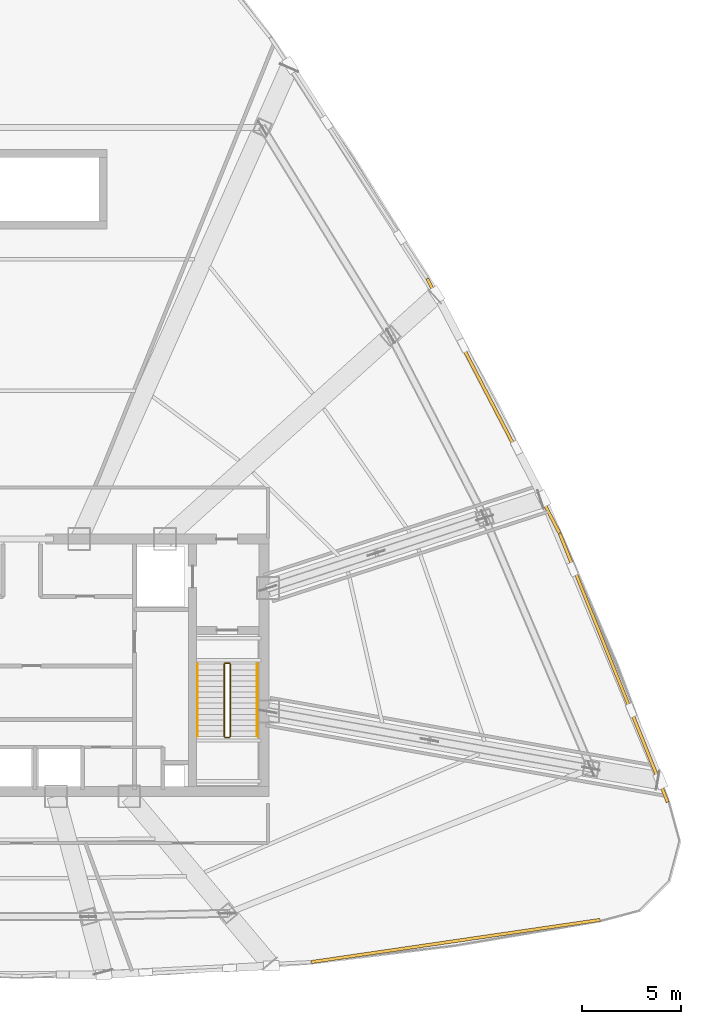
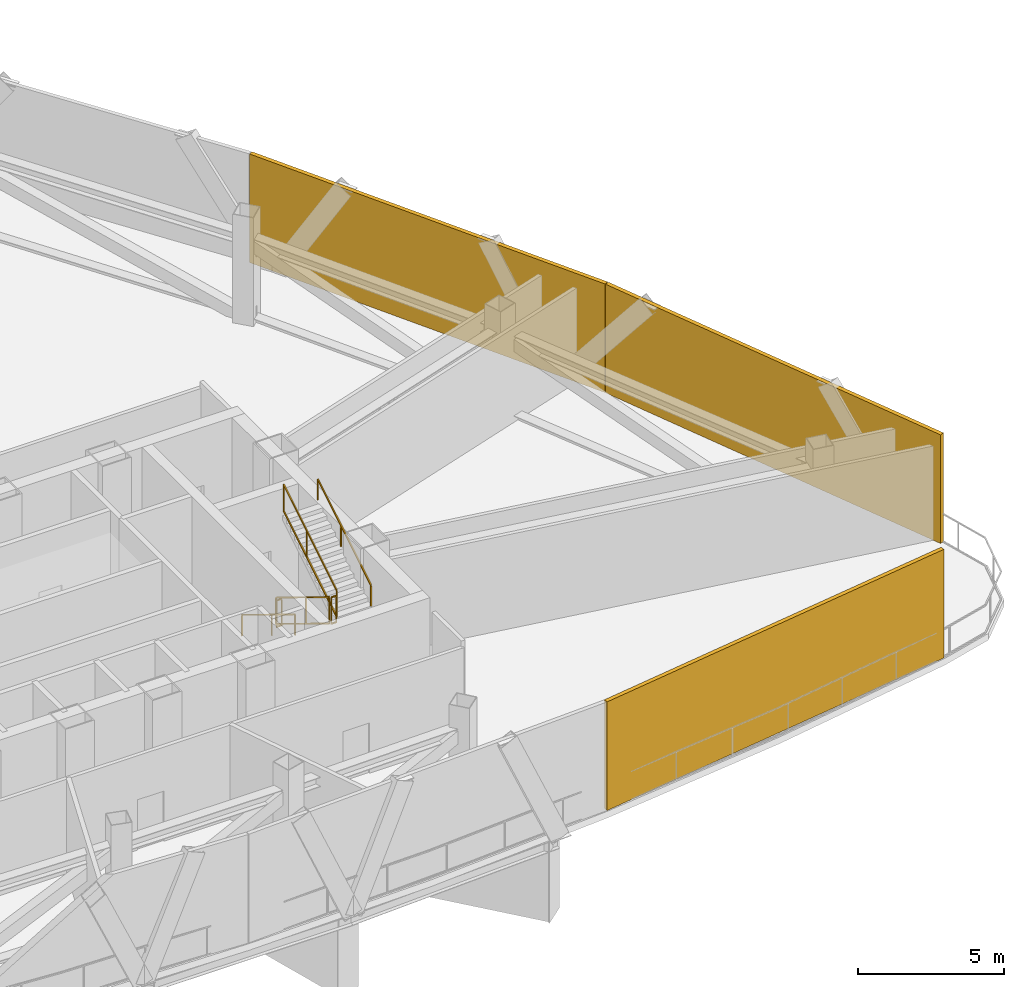
# One storey, part 12 of 13: 6 railings, 3 shading devices.
"""IFC4 building model written with IfcOpenShell, lengths in metres."""

from ifc_helpers import new_model, si_unit, direction, frame, origin, origin_2d, place, context, subcontext, project, spatial, rectangle, extrude, source, transform, mapped, material, layer, layer_set, type_object, element, save


model = new_model("IFC4")

# Units and contexts
model_context = context("Model", 3, precision=1e-05, world=origin(), true_north=direction((0.0, 1.0)))
body_context = subcontext(model_context, "Body", "Model", "MODEL_VIEW")
ifc_project = project(units=[si_unit("LENGTHUNIT", "METRE"), si_unit("AREAUNIT", "SQUARE_METRE"), si_unit("VOLUMEUNIT", "CUBIC_METRE"), si_unit("PLANEANGLEUNIT", "RADIAN"), si_unit("MASSUNIT", "GRAM", prefix="KILO"), si_unit("THERMODYNAMICTEMPERATUREUNIT", "KELVIN"), si_unit("POWERUNIT", "WATT")], contexts=[model_context])

# Site, building, storey
site_placement = place(None, origin())
site = spatial("IfcSite", under=ifc_project, at=site_placement, CompositionType="ELEMENT")
building_placement = place(site_placement, origin())
building = spatial("IfcBuilding", under=site, at=building_placement, Name="Yunzhuo Pagoda Commons", CompositionType="ELEMENT")
storey_placement = place(building_placement, frame((0.0, 0.0, 272.760009765625)))
storey = spatial("IfcBuildingStorey", under=building, at=storey_placement, Name="L68", CompositionType="ELEMENT", Elevation=272.760009765625)

# Railings
ifc_material = material(Name="Anodized aluminium 6063-T6", Category="aluminium")
railing_type_1 = type_object("IfcRailingType", Name="GR-ST2 Stair Well Guardrail 1160", PredefinedType="GUARDRAIL", material=ifc_material)
railing_1_placement = place(storey_placement, frame((58.199951171875, 33.89990234375, 0.17138671875)))
element("IfcRailing", 1, at=railing_1_placement, inside=storey, type_object=railing_type_1, Name="L68 ST2 stair guard 1", PredefinedType="GUARDRAIL", context=body_context, shape_type="SweptSolid", body=[
    extrude(rectangle(XDim=0.048095703125, YDim=0.048095703125, at=origin_2d()), frame((0.0, 0.0, 1.1259765625), z_axis=(0.0, -0.852850264322, 0.5221555579), x_axis=(1.0, 0.0, 0.0)), (0.0, 0.0, 1.0), 4.267822265625),
    extrude(rectangle(XDim=0.048095703125, YDim=0.048095703125, at=origin_2d()), frame((0.0, 0.0, 0.02392578125), z_axis=(0.0, -0.852850264322, 0.5221555579), x_axis=(1.0, 0.0, 0.0)), (0.0, 0.0, 1.0), 4.267822265625),
    extrude(rectangle(XDim=0.0419921875, YDim=0.0419921875, at=origin_2d()), origin(), (0.0, 0.0, 1.0), 1.101806640625),
    extrude(rectangle(XDim=0.0419921875, YDim=0.0419921875, at=origin_2d()), frame((0.0, -2.046875, 1.253173828125)), (0.0, 0.0, 1.0), 1.101806640625),
    extrude(rectangle(XDim=0.0419921875, YDim=0.0419921875, at=origin_2d()), frame((0.0, -3.639892578125, 2.228515625)), (0.0, 0.0, 1.0), 1.101806640625),
])
railing_2_placement = place(storey_placement, frame((58.25, 30.2099609375, 2.39990234375)))
element("IfcRailing", 2, at=railing_2_placement, inside=storey, type_object=railing_type_1, Name="L68 ST2 stair guard 2", PredefinedType="GUARDRAIL", context=body_context, shape_type="SweptSolid", body=[
    extrude(rectangle(XDim=0.048095703125, YDim=0.048095703125, at=origin_2d()), frame((0.0, 0.0, 1.1259765625), z_axis=(1.0, 0.0, 0.0), x_axis=(0.0, 1.0, 0.0)), (0.0, 0.0, 1.0), 0.199951171875),
    extrude(rectangle(XDim=0.048095703125, YDim=0.048095703125, at=origin_2d()), frame((0.0, 0.0, 0.02392578125), z_axis=(1.0, 0.0, 0.0), x_axis=(0.0, 1.0, 0.0)), (0.0, 0.0, 1.0), 0.199951171875),
    extrude(rectangle(XDim=0.0419921875, YDim=0.0419921875, at=origin_2d()), origin(), (0.0, 0.0, 1.0), 1.101806640625),
    extrude(rectangle(XDim=0.0419921875, YDim=0.0419921875, at=origin_2d()), frame((0.199951171875, 0.0, 0.0)), (0.0, 0.0, 1.0), 1.101806640625),
])
railing_3_placement = place(storey_placement, frame((58.5, 30.260009765625, 2.571533203125)))
element("IfcRailing", 3, at=railing_3_placement, inside=storey, type_object=railing_type_1, Name="L68 ST2 stair guard 3", PredefinedType="GUARDRAIL", context=body_context, shape_type="SweptSolid", body=[
    extrude(rectangle(XDim=0.048095703125, YDim=0.048095703125, at=origin_2d()), frame((0.0, 0.0, 1.1259765625), z_axis=(0.0, 0.852850264322, 0.5221555579), x_axis=(-1.0, 0.0, 0.0)), (0.0, 0.0, 1.0), 4.267822265625),
    extrude(rectangle(XDim=0.048095703125, YDim=0.048095703125, at=origin_2d()), frame((0.0, 0.0, 0.02392578125), z_axis=(0.0, 0.852850264322, 0.5221555579), x_axis=(-1.0, 0.0, 0.0)), (0.0, 0.0, 1.0), 4.267822265625),
    extrude(rectangle(XDim=0.0419921875, YDim=0.0419921875, at=origin_2d()), origin(), (0.0, 0.0, 1.0), 1.101806640625),
    extrude(rectangle(XDim=0.0419921875, YDim=0.0419921875, at=origin_2d()), frame((0.0, 2.046875, 1.253173828125)), (0.0, 0.0, 1.0), 1.101806640625),
    extrude(rectangle(XDim=0.0419921875, YDim=0.0419921875, at=origin_2d()), frame((0.0, 3.639892578125, 2.228515625)), (0.0, 0.0, 1.0), 1.101806640625),
])
railing_4_placement = place(storey_placement, frame((58.25, 33.949951171875, 0.0)))
element("IfcRailing", 4, at=railing_4_placement, inside=storey, type_object=railing_type_1, Name="L68 ST2 stair guard 4", PredefinedType="GUARDRAIL", context=body_context, shape_type="SweptSolid", body=[
    extrude(rectangle(XDim=0.048095703125, YDim=0.048095703125, at=origin_2d()), frame((0.0, 0.0, 1.1259765625), z_axis=(1.0, 0.0, 0.0), x_axis=(0.0, 1.0, 0.0)), (0.0, 0.0, 1.0), 0.199951171875),
    extrude(rectangle(XDim=0.048095703125, YDim=0.048095703125, at=origin_2d()), frame((0.0, 0.0, 0.02392578125), z_axis=(1.0, 0.0, 0.0), x_axis=(0.0, 1.0, 0.0)), (0.0, 0.0, 1.0), 0.199951171875),
    extrude(rectangle(XDim=0.0419921875, YDim=0.0419921875, at=origin_2d()), origin(), (0.0, 0.0, 1.0), 1.101806640625),
    extrude(rectangle(XDim=0.0419921875, YDim=0.0419921875, at=origin_2d()), frame((0.199951171875, 0.0, 0.0)), (0.0, 0.0, 1.0), 1.101806640625),
])
railing_type_2 = type_object("IfcRailingType", Name="HR-ST2 Stair Handrail 900", PredefinedType="HANDRAIL", material=ifc_material)
railing_5_placement = place(storey_placement, frame((56.85009765625, 33.89990234375, 0.17138671875)))
element("IfcRailing", 5, at=railing_5_placement, inside=storey, type_object=railing_type_2, Name="L68 ST2 stair handrail 1", PredefinedType="HANDRAIL", context=body_context, shape_type="SweptSolid", body=[
    extrude(rectangle(XDim=0.048095703125, YDim=0.048095703125, at=origin_2d()), frame((0.0, 0.0, 0.8759765625), z_axis=(0.0, -0.852850264322, 0.5221555579), x_axis=(1.0, 0.0, 0.0)), (0.0, 0.0, 1.0), 4.267822265625),
    extrude(rectangle(XDim=0.0419921875, YDim=0.0419921875, at=origin_2d()), origin(), (0.0, 0.0, 1.0), 0.851806640625),
    extrude(rectangle(XDim=0.0419921875, YDim=0.0419921875, at=origin_2d()), frame((0.0, -2.046875, 1.253173828125)), (0.0, 0.0, 1.0), 0.851806640625),
    extrude(rectangle(XDim=0.0419921875, YDim=0.0419921875, at=origin_2d()), frame((0.0, -3.639892578125, 2.228515625)), (0.0, 0.0, 1.0), 0.851806640625),
])
railing_6_placement = place(storey_placement, frame((59.85009765625, 30.260009765625, 2.571533203125)))
element("IfcRailing", 6, at=railing_6_placement, inside=storey, type_object=railing_type_2, Name="L68 ST2 stair handrail 2", PredefinedType="HANDRAIL", context=body_context, shape_type="SweptSolid", body=[
    extrude(rectangle(XDim=0.048095703125, YDim=0.048095703125, at=origin_2d()), frame((0.0, 0.0, 0.8759765625), z_axis=(0.0, 0.852850264322, 0.5221555579), x_axis=(-1.0, 0.0, 0.0)), (0.0, 0.0, 1.0), 4.267822265625),
    extrude(rectangle(XDim=0.0419921875, YDim=0.0419921875, at=origin_2d()), origin(), (0.0, 0.0, 1.0), 0.851806640625),
    extrude(rectangle(XDim=0.0419921875, YDim=0.0419921875, at=origin_2d()), frame((0.0, 2.046875, 1.253173828125)), (0.0, 0.0, 1.0), 0.851806640625),
    extrude(rectangle(XDim=0.0419921875, YDim=0.0419921875, at=origin_2d()), frame((0.0, 3.639892578125, 2.228515625)), (0.0, 0.0, 1.0), 0.851806640625),
])

# Shading devices
ifc_layer = layer(ifc_material, 0.159912109375)
ifc_layer_set = layer_set([ifc_layer], Name="Anodized aluminium 6063-T6")
shading_device_type = type_object("IfcShadingDeviceType", Name="SH-SCR1 Stormproof Refuge Louvre Screen", PredefinedType="JALOUSIE", material=ifc_layer_set)
shared_shape_1 = source(origin(), body_context, "Body", "SweptSolid", [
    extrude(rectangle(XDim=14.69140625, YDim=0.159912109375, at=origin_2d()), origin(), (0.0, 0.0, 1.0), 4.5400390625),
])
shading_device_1_placement = place(storey_placement, frame((69.847900390625, 19.96923828125, 0.0), z_axis=(0.0, 0.0, 1.0), x_axis=(0.989510666697, 0.144459823108, 0.0)))
element("IfcShadingDevice", 7, at=shading_device_1_placement, inside=storey, type_object=shading_device_type, Name="L68 stormproof refuge louvre screen F1.4", PredefinedType="JALOUSIE", context=body_context, shape_type="MappedRepresentation", body=[
    mapped(shared_shape_1, transform((0.0, 0.0, 0.0), scale=1.0)),
])
shared_shape_2 = source(origin(), body_context, "Body", "SweptSolid", [
    extrude(rectangle(XDim=14.5732421875, YDim=0.159912109375, at=origin_2d()), origin(), (0.0, 0.0, 1.0), 4.5400390625),
])
shading_device_2_placement = place(storey_placement, frame((77.79931640625, 33.7138671875, 0.0), z_axis=(0.0, 0.0, 1.0), x_axis=(-0.372987782576, 0.927836253899, 0.0)))
element("IfcShadingDevice", 8, at=shading_device_2_placement, inside=storey, type_object=shading_device_type, Name="L68 stormproof refuge louvre screen F2.1", PredefinedType="JALOUSIE", context=body_context, shape_type="MappedRepresentation", body=[
    mapped(shared_shape_2, transform((0.0, 0.0, 0.0), scale=1.0)),
])
shared_shape_3 = source(origin(), body_context, "Body", "SweptSolid", [
    extrude(rectangle(XDim=14.434814453125, YDim=0.159912109375, at=origin_2d()), origin(), (0.0, 0.0, 1.0), 4.5400390625),
])
shading_device_3_placement = place(storey_placement, frame((71.740966796875, 46.904296875, 0.0), z_axis=(0.0, 0.0, 1.0), x_axis=(-0.461206683033, 0.88729273384, 0.0)))
element("IfcShadingDevice", 9, at=shading_device_3_placement, inside=storey, type_object=shading_device_type, Name="L68 stormproof refuge louvre screen F2.2", PredefinedType="JALOUSIE", context=body_context, shape_type="MappedRepresentation", body=[
    mapped(shared_shape_3, transform((0.0, 0.0, 0.0), scale=1.0)),
])

save(model, "model.ifc")
